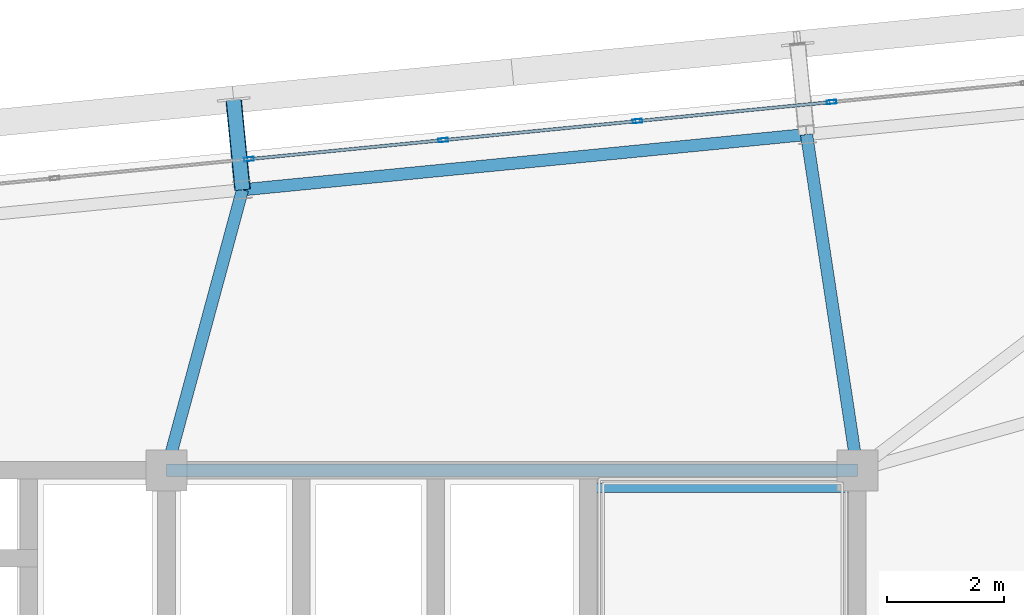
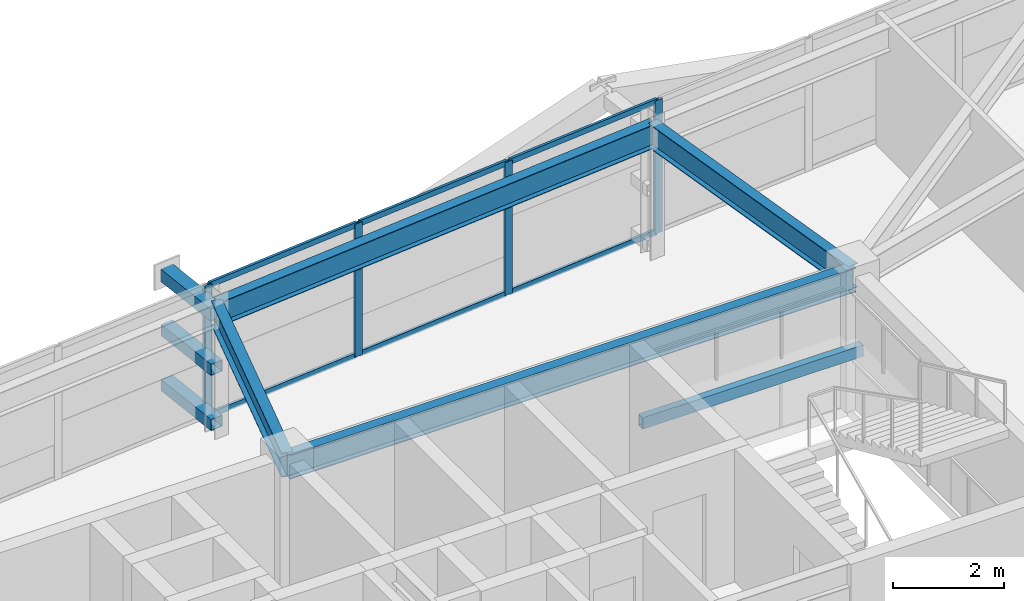
# One storey, part 31 of 54: 13 members, 5 beams, 1 element without a shape of its own.
"""IFC4 building model written with IfcOpenShell, lengths in metres."""

from ifc_helpers import new_model, si_unit, direction, frame, origin, origin_2d, place, context, subcontext, project, spatial, hollow_rectangle, i_section, extrude, source, transform, mapped, material, layer, layer_set, material_profile, profile_set, type_object, element, aggregate, save


model = new_model("IFC4")

# Units and contexts
model_context = context("Model", 3, precision=1e-05, world=origin(), true_north=direction((0.0, 1.0)))
body_context = subcontext(model_context, "Body", "Model", "MODEL_VIEW")
ifc_project = project(units=[si_unit("LENGTHUNIT", "METRE"), si_unit("AREAUNIT", "SQUARE_METRE"), si_unit("VOLUMEUNIT", "CUBIC_METRE"), si_unit("PLANEANGLEUNIT", "RADIAN"), si_unit("MASSUNIT", "GRAM", prefix="KILO")], contexts=[model_context])

# Site, building, storey
site_placement = place(None, origin())
site = spatial("IfcSite", under=ifc_project, at=site_placement, CompositionType="ELEMENT")
building_placement = place(site_placement, origin())
building = spatial("IfcBuilding", under=site, at=building_placement, Name="Taldren Reach Tower", CompositionType="ELEMENT")
storey_placement = place(building_placement, frame((0.0, 0.0, 102.89990234375)))
storey = spatial("IfcBuildingStorey", under=building, at=storey_placement, Name="L31", CompositionType="ELEMENT", Elevation=102.89990234375)

# Beam
ifc_material_1 = material(Name="Steel Gr 350 (350PLUS)", Category="steel")
ifc_material_profile_1 = material_profile(ifc_material_1, i_section(OverallWidth=0.208984375, OverallDepth=0.532958984375, WebThickness=0.01025390625, FlangeThickness=0.015625, at=origin_2d()), Name="530UB92.4")
ifc_profile_set_1 = profile_set([ifc_material_profile_1], Name="Steel Gr 350 (350PLUS)")
beam_type_1 = type_object("IfcBeamType", Name="BM-UB530A", PredefinedType="BEAM", material=ifc_profile_set_1)
shared_shape_1 = source(origin(), body_context, "Body", "SweptSolid", [
    extrude(i_section(OverallWidth=0.208984375, OverallDepth=0.532958984375, WebThickness=0.01025390625, FlangeThickness=0.015625, at=origin_2d()), origin(), (0.0, 0.0, 1.0), 11.800048828125),
])
beam_1_placement = place(storey_placement, frame((39.199951171875, 32.0, 2.66357421875), z_axis=(1.0, 0.0, 0.0), x_axis=(0.0, 1.0, 0.0)))
element("IfcBeam", 1, at=beam_1_placement, inside=storey, type_object=beam_type_1, Name="Core-spine girder L31-SP06", PredefinedType="BEAM", context=body_context, shape_type="MappedRepresentation", body=[
    mapped(shared_shape_1, transform((0.0, 0.0, 0.0), scale=1.0)),
])

# Members
ifc_material_2 = material(Name="Steel Gr 450 (C450L0)", Category="steel")
ifc_material_profile_2 = material_profile(ifc_material_2, hollow_rectangle(XDim=0.27490234375, YDim=0.27490234375, WallThickness=0.00927734375, at=origin_2d()), Name="275x275x9.3SHS")
ifc_profile_set_2 = profile_set([ifc_material_profile_2], Name="Steel Gr 450 (C450L0)")
member_type_1 = type_object("IfcMemberType", Name="MB-TIE273", PredefinedType="STRUT", material=ifc_profile_set_2)
shared_shape_2 = source(origin(), body_context, "Body", "SweptSolid", [
    extrude(hollow_rectangle(XDim=0.27490234375, YDim=0.27490234375, WallThickness=0.00927734375, at=origin_2d()), origin(), (0.0, 0.0, 1.0), 1.5498046875),
])
member_1_placement = place(storey_placement, frame((40.498291015625, 36.790771484375, 2.650146484375), z_axis=(-0.097663201064, 0.995219523099, 0.0), x_axis=(-0.995219523099, -0.097663201064, 0.0)))
element("IfcMember", 2, at=member_1_placement, inside=storey, type_object=member_type_1, Name="Exoskeleton diaphragm tie strut B2-N4 L31", PredefinedType="STRUT", context=body_context, shape_type="MappedRepresentation", body=[
    mapped(shared_shape_2, transform((0.0, 0.0, 0.0), scale=1.0)),
])
ifc_material_3 = material(Name="Steel Gr 350 (C350L0)", Category="steel")
ifc_material_profile_3 = material_profile(ifc_material_3, hollow_rectangle(XDim=0.25, YDim=0.25, WallThickness=0.010009765625, at=origin_2d()), Name="250x250x10.0SHS")
ifc_profile_set_3 = profile_set([ifc_material_profile_3], Name="Steel Gr 350 (C350L0)")
member_type_2 = type_object("IfcMemberType", Name="MB-POST250", PredefinedType="POST", material=ifc_profile_set_3)
shared_shape_3 = source(origin(), body_context, "Body", "SweptSolid", [
    extrude(hollow_rectangle(XDim=0.25, YDim=0.25, WallThickness=0.010009765625, at=origin_2d()), origin(), (0.0, 0.0, 1.0), 1.5498046875),
])
for number, where, z_axis, x_axis, name in (
    (3, (40.498291015625, 36.790771484375, 0.22021484375), (-0.097663201064, 0.995219523099, 0.0), (-0.995219523099, -0.097663201064, 0.0), "Exoskeleton base diaphragm tie strut B2-N4 L31"),
    (4, (40.498291015625, 36.790771484375, 1.43505859375), (-0.097663201064, 0.995219523099, 0.0), (-0.995219523099, -0.097663201064, 0.0), "Exoskeleton mid-tier diaphragm tie B2-N4 L31"),
):
    element("IfcMember", number, at=place(storey_placement, frame(where, z_axis=z_axis, x_axis=x_axis)), inside=storey, type_object=member_type_2, Name=name, PredefinedType="POST", context=body_context, shape_type="MappedRepresentation", body=[
        mapped(shared_shape_3, transform((0.0, 0.0, 0.0), scale=1.0)),
    ])

# Beams
ifc_material_profile_4 = material_profile(ifc_material_1, i_section(OverallWidth=0.208984375, OverallDepth=0.528076171875, WebThickness=0.009521484375, FlangeThickness=0.01318359375, at=origin_2d()), Name="530UB82.0")
ifc_profile_set_4 = profile_set([ifc_material_profile_4], Name="Steel Gr 350 (350PLUS)")
beam_type_2 = type_object("IfcBeamType", Name="SP-UB530B", PredefinedType="SPANDREL", material=ifc_profile_set_4)
shared_shape_4 = source(origin(), body_context, "Body", "SweptSolid", [
    extrude(i_section(OverallWidth=0.208984375, OverallDepth=0.528076171875, WebThickness=0.009521484375, FlangeThickness=0.01318359375, at=origin_2d()), origin(), (0.0, 0.0, 1.0), 9.679931640625),
])
beam_2_placement = place(storey_placement, frame((50.132080078125, 37.7353515625, 2.666015625), z_axis=(-0.995227612658, -0.097580730699, 0.0), x_axis=(0.097580730699, -0.995227612658, 0.0)))
element("IfcBeam", 5, at=beam_2_placement, inside=storey, type_object=beam_type_2, Name="Perimeter spandrel B2 N5-N4 L31", PredefinedType="SPANDREL", context=body_context, shape_type="MappedRepresentation", body=[
    mapped(shared_shape_4, transform((0.0, 0.0, 0.0), scale=1.0)),
])
shared_shape_5 = source(origin(), body_context, "Body", "SweptSolid", [
    extrude(i_section(OverallWidth=0.208984375, OverallDepth=0.532958984375, WebThickness=0.01025390625, FlangeThickness=0.015625, at=origin_2d()), origin(), (0.0, 0.0, 1.0), 5.800537109375),
])
beam_3_placement = place(storey_placement, frame((51.0, 32.0, 2.66357421875), z_axis=(-0.149624592867, 0.988742879221, 0.0), x_axis=(-0.988742879221, -0.149624592867, 0.0)))
element("IfcBeam", 6, at=beam_3_placement, inside=storey, type_object=beam_type_1, Name="Primary floor girder B2-N5 L31", PredefinedType="BEAM", context=body_context, shape_type="MappedRepresentation", body=[
    mapped(shared_shape_5, transform((0.0, 0.0, 0.0), scale=1.0)),
])
shared_shape_6 = source(origin(), body_context, "Body", "SweptSolid", [
    extrude(i_section(OverallWidth=0.208984375, OverallDepth=0.532958984375, WebThickness=0.01025390625, FlangeThickness=0.015625, at=origin_2d()), origin(), (0.0, 0.0, 1.0), 4.963623046875),
])
beam_4_placement = place(storey_placement, frame((39.199951171875, 32.0, 2.66357421875), z_axis=(0.261572995851, 0.965183696423, 0.0), x_axis=(-0.965183696423, 0.261572995851, 0.0)))
element("IfcBeam", 7, at=beam_4_placement, inside=storey, type_object=beam_type_1, Name="Primary floor girder B2-N4 L31", PredefinedType="BEAM", context=body_context, shape_type="MappedRepresentation", body=[
    mapped(shared_shape_6, transform((0.0, 0.0, 0.0), scale=1.0)),
])

# Curtain wall, members
ifc_material_4 = material(Name="Aluminium and Low-E Glass Unitised System", Category="aluminium")
ifc_layer = layer(ifc_material_4, 0.159912109375)
ifc_layer_set = layer_set([ifc_layer], Name="Aluminium and Low-E Glass Unitised System")
curtain_wall_type = type_object("IfcCurtainWallType", Name="CW-SYS-3", PredefinedType="NOTDEFINED", material=ifc_layer_set)
curtain_wall_placement = place(storey_placement, origin())
curtain_wall = element("IfcCurtainWall", 8, at=curtain_wall_placement, inside=storey, type_object=curtain_wall_type, Name="Unitised curtain wall CW-L31-N", PredefinedType="NOTDEFINED")
ifc_material_5 = material(Name="Anodised Aluminium 6063-T6", Category="aluminium")
ifc_material_profile_5 = material_profile(ifc_material_5, hollow_rectangle(XDim=0.06494140625, YDim=0.1650390625, WallThickness=0.00390625, at=origin_2d()), Name="ALU-165x65x4RHS")
ifc_profile_set_5 = profile_set([ifc_material_profile_5], Name="Anodised Aluminium 6063-T6")
member_type_3 = type_object("IfcMemberType", Name="CW-MUL-165", PredefinedType="MULLION", material=ifc_profile_set_5)
shared_shape_7 = source(origin(), body_context, "Body", "SweptSolid", [
    extrude(hollow_rectangle(XDim=0.06494140625, YDim=0.1650390625, WallThickness=0.00390625, at=origin_2d()), origin(), (0.0, 0.0, 1.0), 2.93017578125),
])
member_2_placement = place(storey_placement, frame((50.56005859375, 38.289794921875, 0.0), z_axis=(0.0, 0.0, 1.0), x_axis=(0.097582999046, -0.995227390247, 0.0)))
member_2 = element("IfcMember", 9, at=member_2_placement, type_object=member_type_3, Name="CW-3 mullion 4", PredefinedType="MULLION", context=body_context, shape_type="MappedRepresentation", body=[
    mapped(shared_shape_7, transform((0.0, 0.0, 0.0), scale=1.0)),
])
member_3_placement = place(storey_placement, frame((47.242431640625, 37.96435546875, 0.0), z_axis=(0.0, 0.0, 1.0), x_axis=(0.097582999046, -0.995227390247, 0.0)))
member_3 = element("IfcMember", 10, at=member_3_placement, type_object=member_type_3, Name="CW-3 mullion 5", PredefinedType="MULLION", context=body_context, shape_type="MappedRepresentation", body=[
    mapped(shared_shape_7, transform((0.0, 0.0, 0.0), scale=1.0)),
])
member_4_placement = place(storey_placement, frame((43.925048828125, 37.63916015625, 0.0), z_axis=(0.0, 0.0, 1.0), x_axis=(0.097582999046, -0.995227390247, 0.0)))
member_4 = element("IfcMember", 11, at=member_4_placement, type_object=member_type_3, Name="CW-3 mullion 6", PredefinedType="MULLION", context=body_context, shape_type="MappedRepresentation", body=[
    mapped(shared_shape_7, transform((0.0, 0.0, 0.0), scale=1.0)),
])
member_5_placement = place(storey_placement, frame((40.607666015625, 37.31396484375, 0.0), z_axis=(0.0, 0.0, 1.0), x_axis=(0.097582999046, -0.995227390247, 0.0)))
member_5 = element("IfcMember", 12, at=member_5_placement, type_object=member_type_3, Name="CW-3 mullion 7", PredefinedType="MULLION", context=body_context, shape_type="MappedRepresentation", body=[
    mapped(shared_shape_7, transform((0.0, 0.0, 0.0), scale=1.0)),
])
ifc_material_profile_6 = material_profile(ifc_material_5, hollow_rectangle(XDim=0.054931640625, YDim=0.1201171875, WallThickness=0.0029296875, at=origin_2d()), Name="ALU-120x55x3RHS")
ifc_profile_set_6 = profile_set([ifc_material_profile_6], Name="Anodised Aluminium 6063-T6")
member_type_4 = type_object("IfcMemberType", Name="CW-TRN-135", PredefinedType="USERDEFINED", material=ifc_profile_set_6)
shared_shape_8 = source(origin(), body_context, "Body", "SweptSolid", [
    extrude(hollow_rectangle(XDim=0.054931640625, YDim=0.1201171875, WallThickness=0.0029296875, at=origin_2d()), origin(), (0.0, 0.0, 1.0), 3.268310546875),
])
member_6_placement = place(storey_placement, frame((50.527587890625, 38.28662109375, 0.027587890625), z_axis=(-0.995222549564, -0.097632355496, 0.0), x_axis=(0.097632355496, -0.995222549564, 0.0)))
member_6 = element("IfcMember", 13, at=member_6_placement, type_object=member_type_4, Name="CW-3 transom 4.1", ObjectType="TRANSOM", PredefinedType="USERDEFINED", context=body_context, shape_type="MappedRepresentation", body=[
    mapped(shared_shape_8, transform((0.0, 0.0, 0.0), scale=1.0)),
])
member_7_placement = place(storey_placement, frame((50.527587890625, 38.28662109375, 2.902587890625), z_axis=(-0.995222549564, -0.097632355496, 0.0), x_axis=(0.097632355496, -0.995222549564, 0.0)))
member_7 = element("IfcMember", 14, at=member_7_placement, type_object=member_type_4, Name="CW-3 transom 4.2", ObjectType="TRANSOM", PredefinedType="USERDEFINED", context=body_context, shape_type="MappedRepresentation", body=[
    mapped(shared_shape_8, transform((0.0, 0.0, 0.0), scale=1.0)),
])
member_8_placement = place(storey_placement, frame((47.210205078125, 37.961181640625, 0.027587890625), z_axis=(-0.99522980512, -0.097558367146, 0.0), x_axis=(0.097558367146, -0.99522980512, 0.0)))
member_8 = element("IfcMember", 15, at=member_8_placement, type_object=member_type_4, Name="CW-3 transom 5.1", ObjectType="TRANSOM", PredefinedType="USERDEFINED", context=body_context, shape_type="MappedRepresentation", body=[
    mapped(shared_shape_8, transform((0.0, 0.0, 0.0), scale=1.0)),
])
member_9_placement = place(storey_placement, frame((47.210205078125, 37.961181640625, 2.902587890625), z_axis=(-0.99522980512, -0.097558367146, 0.0), x_axis=(0.097558367146, -0.99522980512, 0.0)))
member_9 = element("IfcMember", 16, at=member_9_placement, type_object=member_type_4, Name="CW-3 transom 5.2", ObjectType="TRANSOM", PredefinedType="USERDEFINED", context=body_context, shape_type="MappedRepresentation", body=[
    mapped(shared_shape_8, transform((0.0, 0.0, 0.0), scale=1.0)),
])
member_10_placement = place(storey_placement, frame((43.892822265625, 37.635986328125, 0.027587890625), z_axis=(-0.99522980512, -0.097558367146, 0.0), x_axis=(0.097558367146, -0.99522980512, 0.0)))
member_10 = element("IfcMember", 17, at=member_10_placement, type_object=member_type_4, Name="CW-3 transom 6.1", ObjectType="TRANSOM", PredefinedType="USERDEFINED", context=body_context, shape_type="MappedRepresentation", body=[
    mapped(shared_shape_8, transform((0.0, 0.0, 0.0), scale=1.0)),
])
member_11_placement = place(storey_placement, frame((43.892822265625, 37.635986328125, 2.902587890625), z_axis=(-0.99522980512, -0.097558367146, 0.0), x_axis=(0.097558367146, -0.99522980512, 0.0)))
member_11 = element("IfcMember", 18, at=member_11_placement, type_object=member_type_4, Name="CW-3 transom 6.2", ObjectType="TRANSOM", PredefinedType="USERDEFINED", context=body_context, shape_type="MappedRepresentation", body=[
    mapped(shared_shape_8, transform((0.0, 0.0, 0.0), scale=1.0)),
])
aggregate(curtain_wall, [member_2, member_3, member_4, member_5, member_6, member_7, member_8, member_9, member_10, member_11])

# Beam
ifc_material_profile_7 = material_profile(ifc_material_3, hollow_rectangle(XDim=0.14990234375, YDim=0.25, WallThickness=0.009033203125, at=origin_2d()), Name="250x150x9.0RHS")
ifc_profile_set_7 = profile_set([ifc_material_profile_7], Name="Steel Gr 350 (C350L0)")
beam_type_3 = type_object("IfcBeamType", Name="LN-RHS250", PredefinedType="LINTEL", material=ifc_profile_set_7)
shared_shape_9 = source(origin(), body_context, "Body", "SweptSolid", [
    extrude(hollow_rectangle(XDim=0.14990234375, YDim=0.25, WallThickness=0.009033203125, at=origin_2d()), origin(), (0.0, 0.0, 1.0), 4.60009765625),
])
beam_5_placement = place(storey_placement, frame((46.39990234375, 31.699951171875, 1.27001953125), z_axis=(1.0, 0.0, 0.0), x_axis=(0.0, 1.0, 0.0)))
element("IfcBeam", 19, at=beam_5_placement, inside=storey, type_object=beam_type_3, Name="Stair half-landing support beam ST2-L31-2", PredefinedType="LINTEL", context=body_context, shape_type="MappedRepresentation", body=[
    mapped(shared_shape_9, transform((0.0, 0.0, 0.0), scale=1.0)),
])

save(model, "model.ifc")
